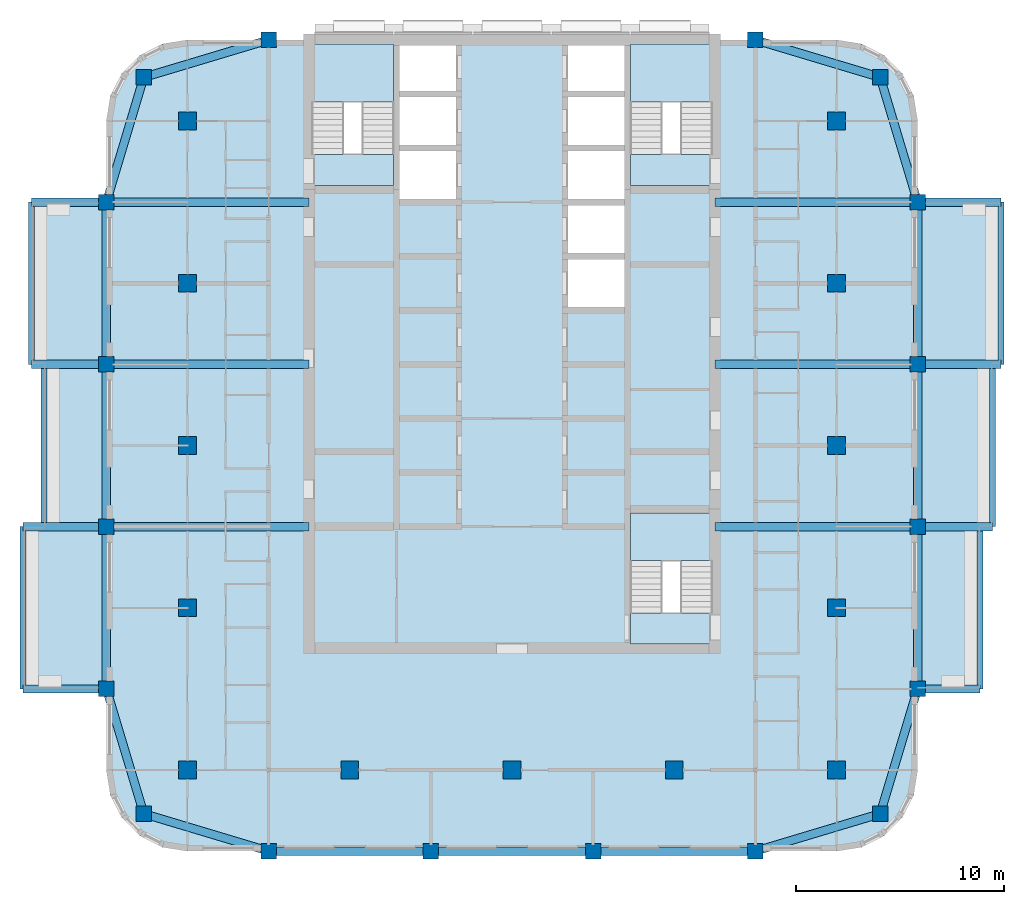
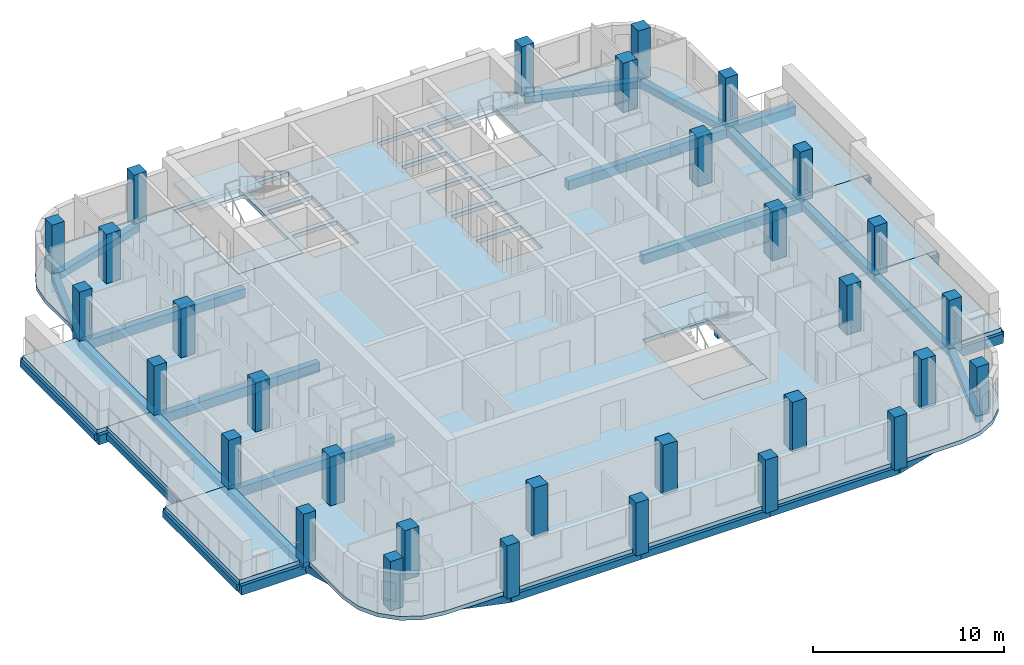
# One storey, part 1 of 13: 37 beams, 31 columns, 13 slabs, 3 elements without a shape of their own.
"""IFC4 building model written with IfcOpenShell, lengths in metres."""

from ifc_helpers import new_model, si_unit, direction, frame, origin, origin_2d, place, context, subcontext, project, spatial, polyline, rectangle, outline, extrude, material, layer, layer_set, material_profile, profile_set, type_object, element, aggregate, save


model = new_model("IFC4")

# Units and contexts
model_context = context("Model", 3, precision=1e-05, world=origin(), true_north=direction((0.0, 1.0)))
body_context = subcontext(model_context, "Body", "Model", "MODEL_VIEW")
ifc_project = project(units=[si_unit("LENGTHUNIT", "METRE"), si_unit("AREAUNIT", "SQUARE_METRE"), si_unit("VOLUMEUNIT", "CUBIC_METRE"), si_unit("PLANEANGLEUNIT", "RADIAN"), si_unit("MASSUNIT", "GRAM", prefix="KILO")], contexts=[model_context])

# Site, building, storey
site_placement = place(None, origin())
site = spatial("IfcSite", under=ifc_project, at=site_placement, CompositionType="ELEMENT")
building_placement = place(site_placement, origin())
building = spatial("IfcBuilding", under=site, at=building_placement, Name="Ludao Terraces", CompositionType="ELEMENT")
storey_placement = place(building_placement, frame((0.0, 0.0, 155.39990234375)))
storey = spatial("IfcBuildingStorey", under=building, at=storey_placement, Name="L42", CompositionType="ELEMENT", Elevation=155.39990234375)

# Columns
ifc_material_1 = material(Name="Concrete C45", Category="concrete")
ifc_material_profile_1 = material_profile(ifc_material_1, rectangle(XDim=0.75, YDim=0.75, at=origin_2d()), Name="750 X 750")
ifc_profile_set_1 = profile_set([ifc_material_profile_1], Name="Concrete C45")
column_type_1 = type_object("IfcColumnType", Name="RC column 750x750 C45", PredefinedType="COLUMN", material=ifc_profile_set_1)
for number, where, z_axis, x_axis, name in (
    (1, (67.300048828125, 47.300048828125, -0.25), (0.0, 0.0, 1.0), (1.0, 0.0, 0.0), "Column L42 C0057x0057"),
    (2, (102.699951171875, 47.300048828125, -0.25), (0.0, 0.0, 1.0), (1.0, 0.0, 0.0), "Column L42 C0411x0057"),
    (3, (67.300048828125, 82.699951171875, -0.25), (0.0, 0.0, 1.0), (1.0, 0.0, 0.0), "Column L42 C0057x0411"),
    (4, (102.699951171875, 82.699951171875, -0.25), (0.0, 0.0, 1.0), (1.0, 0.0, 0.0), "Column L42 C0411x0411"),
    (5, (65.5, 53.300048828125, -0.25), (0.0, 0.0, 1.0), (1.0, 0.0, 0.0), "Column L42 W0039x0117"),
    (6, (104.5, 53.300048828125, -0.25), (0.0, 0.0, 1.0), (1.0, 0.0, 0.0), "Column L42 W0429x0117"),
    (7, (73.300048828125, 45.5, -0.25), (0.0, 0.0, 1.0), (1.0, 0.0, 0.0), "Column L42 W0117x0039"),
    (8, (73.300048828125, 84.5, -0.25), (0.0, 0.0, 1.0), (1.0, 0.0, 0.0), "Column L42 W0117x0429"),
    (9, (65.5, 61.10009765625, -0.25), (0.0, 0.0, 1.0), (1.0, 0.0, 0.0), "Column L42 W0039x0195"),
    (10, (104.5, 61.10009765625, -0.25), (0.0, 0.0, 1.0), (1.0, 0.0, 0.0), "Column L42 W0429x0195"),
    (11, (81.10009765625, 45.5, -0.25), (0.0, 0.0, 1.0), (1.0, 0.0, 0.0), "Column L42 W0195x0039"),
    (12, (65.5, 68.89990234375, -0.25), (0.0, 0.0, 1.0), (1.0, 0.0, 0.0), "Column L42 W0039x0273"),
    (13, (104.5, 68.89990234375, -0.25), (0.0, 0.0, 1.0), (1.0, 0.0, 0.0), "Column L42 W0429x0273"),
    (14, (88.89990234375, 45.5, -0.25), (0.0, 0.0, 1.0), (1.0, 0.0, 0.0), "Column L42 W0273x0039"),
    (15, (65.5, 76.699951171875, -0.25), (0.0, 0.0, 1.0), (1.0, 0.0, 0.0), "Column L42 W0039x0351"),
    (16, (104.5, 76.699951171875, -0.25), (0.0, 0.0, 1.0), (1.0, 0.0, 0.0), "Column L42 W0429x0351"),
    (17, (96.699951171875, 45.5, -0.25), (0.0, 0.0, 1.0), (1.0, 0.0, 0.0), "Column L42 W0351x0039"),
    (18, (96.699951171875, 84.5, -0.25), (0.0, 0.0, 1.0), (1.0, 0.0, 0.0), "Column L42 W0351x0429"),
):
    element("IfcColumn", number, at=place(storey_placement, frame(where, z_axis=z_axis, x_axis=x_axis)), inside=storey, type_object=column_type_1, Name=name, PredefinedType="COLUMN", context=body_context, shape_type="SweptSolid", body=[
        extrude(rectangle(XDim=0.75, YDim=0.75, at=origin_2d()), origin(), (0.0, 0.0, 1.0), 3.400146484375),
    ])
ifc_material_profile_2 = material_profile(ifc_material_1, rectangle(XDim=0.85009765625, YDim=0.85009765625, at=origin_2d()), Name="850 X 850")
ifc_profile_set_2 = profile_set([ifc_material_profile_2], Name="Concrete C45")
column_type_2 = type_object("IfcColumnType", Name="RC column 850x850 C45", PredefinedType="COLUMN", material=ifc_profile_set_2)
for number, where, z_axis, x_axis, name in (
    (19, (69.39990234375, 49.39990234375, -0.25), (0.0, 0.0, 1.0), (1.0, 0.0, 0.0), "Column L42 S0078x0078"),
    (20, (69.39990234375, 57.199951171875, -0.25), (0.0, 0.0, 1.0), (1.0, 0.0, 0.0), "Column L42 S0078x0156"),
    (21, (69.39990234375, 65.0, -0.25), (0.0, 0.0, 1.0), (1.0, 0.0, 0.0), "Column L42 S0078x0234"),
    (22, (69.39990234375, 72.800048828125, -0.25), (0.0, 0.0, 1.0), (1.0, 0.0, 0.0), "Column L42 S0078x0312"),
    (23, (69.39990234375, 80.60009765625, -0.25), (0.0, 0.0, 1.0), (1.0, 0.0, 0.0), "Column L42 S0078x0390"),
    (24, (77.199951171875, 49.39990234375, -0.25), (0.0, 0.0, 1.0), (1.0, 0.0, 0.0), "Column L42 S0156x0078"),
    (25, (85.0, 49.39990234375, -0.25), (0.0, 0.0, 1.0), (1.0, 0.0, 0.0), "Column L42 S0234x0078"),
    (26, (92.800048828125, 49.39990234375, -0.25), (0.0, 0.0, 1.0), (1.0, 0.0, 0.0), "Column L42 S0312x0078"),
    (27, (100.60009765625, 49.39990234375, -0.25), (0.0, 0.0, 1.0), (1.0, 0.0, 0.0), "Column L42 S0390x0078"),
    (28, (100.60009765625, 57.199951171875, -0.25), (0.0, 0.0, 1.0), (1.0, 0.0, 0.0), "Column L42 S0390x0156"),
    (29, (100.60009765625, 65.0, -0.25), (0.0, 0.0, 1.0), (1.0, 0.0, 0.0), "Column L42 S0390x0234"),
    (30, (100.60009765625, 72.800048828125, -0.25), (0.0, 0.0, 1.0), (1.0, 0.0, 0.0), "Column L42 S0390x0312"),
    (31, (100.60009765625, 80.60009765625, -0.25), (0.0, 0.0, 1.0), (1.0, 0.0, 0.0), "Column L42 S0390x0390"),
):
    element("IfcColumn", number, at=place(storey_placement, frame(where, z_axis=z_axis, x_axis=x_axis)), inside=storey, type_object=column_type_2, Name=name, PredefinedType="COLUMN", context=body_context, shape_type="SweptSolid", body=[
        extrude(rectangle(XDim=0.85009765625, YDim=0.85009765625, at=origin_2d()), origin(), (0.0, 0.0, 1.0), 3.400146484375),
    ])

# Beams
ifc_material_2 = material(Name="Concrete C40", Category="concrete")
ifc_material_profile_3 = material_profile(ifc_material_2, rectangle(XDim=0.300048828125, YDim=0.39990234375, at=origin_2d()), Name="300 X 400")
ifc_profile_set_3 = profile_set([ifc_material_profile_3], Name="Concrete C40")
beam_type_1 = type_object("IfcBeamType", Name="RC beam 300x400 C40", PredefinedType="BEAM", material=ifc_profile_set_3)
beam_1_placement = place(storey_placement, frame((107.5, 53.300048828125, -0.449951171875), z_axis=(0.0, 1.0, 0.0), x_axis=(-1.0, 0.0, 0.0)))
element("IfcBeam", 32, at=beam_1_placement, inside=storey, type_object=beam_type_1, Name="Balcony edge beam L42 E1", PredefinedType="BEAM", context=body_context, shape_type="SweptSolid", body=[
    extrude(rectangle(XDim=0.300048828125, YDim=0.39990234375, at=origin_2d()), origin(), (0.0, 0.0, 1.0), 7.800048828125),
])
beam_2_placement = place(storey_placement, frame((108.10009765625, 61.10009765625, -0.449951171875), z_axis=(0.0, 1.0, 0.0), x_axis=(-1.0, 0.0, 0.0)))
element("IfcBeam", 33, at=beam_2_placement, inside=storey, type_object=beam_type_1, Name="Balcony edge beam L42 E2", PredefinedType="BEAM", context=body_context, shape_type="SweptSolid", body=[
    extrude(rectangle(XDim=0.300048828125, YDim=0.39990234375, at=origin_2d()), origin(), (0.0, 0.0, 1.0), 7.7998046875),
])
for number, where, z_axis, x_axis, name in (
    (34, (108.5, 68.89990234375, -0.449951171875), (0.0, 1.0, 0.0), (-1.0, 0.0, 0.0), "Balcony edge beam L42 E3"),
    (35, (61.5, 53.300048828125, -0.449951171875), (0.0, 1.0, 0.0), (-1.0, 0.0, 0.0), "Balcony edge beam L42 W1"),
):
    element("IfcBeam", number, at=place(storey_placement, frame(where, z_axis=z_axis, x_axis=x_axis)), inside=storey, type_object=beam_type_1, Name=name, PredefinedType="BEAM", context=body_context, shape_type="SweptSolid", body=[
        extrude(rectangle(XDim=0.300048828125, YDim=0.39990234375, at=origin_2d()), origin(), (0.0, 0.0, 1.0), 7.800048828125),
    ])
beam_3_placement = place(storey_placement, frame((62.5, 61.10009765625, -0.449951171875), z_axis=(0.0, 1.0, 0.0), x_axis=(-1.0, 0.0, 0.0)))
element("IfcBeam", 36, at=beam_3_placement, inside=storey, type_object=beam_type_1, Name="Balcony edge beam L42 W2", PredefinedType="BEAM", context=body_context, shape_type="SweptSolid", body=[
    extrude(rectangle(XDim=0.300048828125, YDim=0.39990234375, at=origin_2d()), origin(), (0.0, 0.0, 1.0), 7.7998046875),
])
beam_4_placement = place(storey_placement, frame((61.89990234375, 68.89990234375, -0.449951171875), z_axis=(0.0, 1.0, 0.0), x_axis=(-1.0, 0.0, 0.0)))
element("IfcBeam", 37, at=beam_4_placement, inside=storey, type_object=beam_type_1, Name="Balcony edge beam L42 W3", PredefinedType="BEAM", context=body_context, shape_type="SweptSolid", body=[
    extrude(rectangle(XDim=0.300048828125, YDim=0.39990234375, at=origin_2d()), origin(), (0.0, 0.0, 1.0), 7.800048828125),
])
ifc_material_profile_4 = material_profile(ifc_material_2, rectangle(XDim=0.39990234375, YDim=0.449951171875, at=origin_2d()), Name="400 X 450")
ifc_profile_set_4 = profile_set([ifc_material_profile_4], Name="Concrete C40")
beam_type_2 = type_object("IfcBeamType", Name="RC beam 400x450 C40", PredefinedType="BEAM", material=ifc_profile_set_4)
beam_5_placement = place(storey_placement, frame((67.300048828125, 47.300048828125, -0.474853515625), z_axis=(0.957824139839, -0.287355036744, 0.0), x_axis=(0.287355036744, 0.957824139839, 0.0)))
element("IfcBeam", 38, at=beam_5_placement, inside=storey, type_object=beam_type_2, Name="Spandrel beam L42 S1", PredefinedType="BEAM", context=body_context, shape_type="SweptSolid", body=[
    extrude(rectangle(XDim=0.39990234375, YDim=0.449951171875, at=origin_2d()), origin(), (0.0, 0.0, 1.0), 6.26416015625),
])
beam_6_placement = place(storey_placement, frame((73.300048828125, 45.5, -0.474853515625), z_axis=(1.0, 0.0, 0.0), x_axis=(0.0, 1.0, 0.0)))
element("IfcBeam", 39, at=beam_6_placement, inside=storey, type_object=beam_type_2, Name="Spandrel beam L42 S2", PredefinedType="BEAM", context=body_context, shape_type="SweptSolid", body=[
    extrude(rectangle(XDim=0.39990234375, YDim=0.449951171875, at=origin_2d()), origin(), (0.0, 0.0, 1.0), 7.800048828125),
])
beam_7_placement = place(storey_placement, frame((81.10009765625, 45.5, -0.474853515625), z_axis=(1.0, 0.0, 0.0), x_axis=(0.0, 1.0, 0.0)))
element("IfcBeam", 40, at=beam_7_placement, inside=storey, type_object=beam_type_2, Name="Spandrel beam L42 S3", PredefinedType="BEAM", context=body_context, shape_type="SweptSolid", body=[
    extrude(rectangle(XDim=0.39990234375, YDim=0.449951171875, at=origin_2d()), origin(), (0.0, 0.0, 1.0), 7.7998046875),
])
beam_8_placement = place(storey_placement, frame((88.89990234375, 45.5, -0.474853515625), z_axis=(1.0, 0.0, 0.0), x_axis=(0.0, 1.0, 0.0)))
element("IfcBeam", 41, at=beam_8_placement, inside=storey, type_object=beam_type_2, Name="Spandrel beam L42 S4", PredefinedType="BEAM", context=body_context, shape_type="SweptSolid", body=[
    extrude(rectangle(XDim=0.39990234375, YDim=0.449951171875, at=origin_2d()), origin(), (0.0, 0.0, 1.0), 7.800048828125),
])
for number, where, z_axis, x_axis, name in (
    (42, (96.699951171875, 45.5, -0.474853515625), (0.957824139839, 0.287355036744, 0.0), (-0.287355036744, 0.957824139839, 0.0), "Spandrel beam L42 S5"),
    (43, (67.300048828125, 82.699951171875, -0.474853515625), (0.957824139839, 0.287355036744, 0.0), (-0.287355036744, 0.957824139839, 0.0), "Spandrel beam L42 N6"),
    (44, (96.699951171875, 84.5, -0.474853515625), (0.957824139839, -0.287355036744, 0.0), (0.287355036744, 0.957824139839, 0.0), "Spandrel beam L42 N7"),
    (45, (67.300048828125, 47.300048828125, -0.474853515625), (-0.287355036744, 0.957824139839, 0.0), (-0.957824139839, -0.287355036744, 0.0), "Spandrel beam L42 W8"),
):
    element("IfcBeam", number, at=place(storey_placement, frame(where, z_axis=z_axis, x_axis=x_axis)), inside=storey, type_object=beam_type_2, Name=name, PredefinedType="BEAM", context=body_context, shape_type="SweptSolid", body=[
        extrude(rectangle(XDim=0.39990234375, YDim=0.449951171875, at=origin_2d()), origin(), (0.0, 0.0, 1.0), 6.26416015625),
    ])
beam_9_placement = place(storey_placement, frame((65.5, 53.300048828125, -0.474853515625), z_axis=(0.0, 1.0, 0.0), x_axis=(-1.0, 0.0, 0.0)))
element("IfcBeam", 46, at=beam_9_placement, inside=storey, type_object=beam_type_2, Name="Spandrel beam L42 W9", PredefinedType="BEAM", context=body_context, shape_type="SweptSolid", body=[
    extrude(rectangle(XDim=0.39990234375, YDim=0.449951171875, at=origin_2d()), origin(), (0.0, 0.0, 1.0), 7.800048828125),
])
beam_10_placement = place(storey_placement, frame((65.5, 61.10009765625, -0.474853515625), z_axis=(0.0, 1.0, 0.0), x_axis=(-1.0, 0.0, 0.0)))
element("IfcBeam", 47, at=beam_10_placement, inside=storey, type_object=beam_type_2, Name="Spandrel beam L42 W10", PredefinedType="BEAM", context=body_context, shape_type="SweptSolid", body=[
    extrude(rectangle(XDim=0.39990234375, YDim=0.449951171875, at=origin_2d()), origin(), (0.0, 0.0, 1.0), 7.7998046875),
])
beam_11_placement = place(storey_placement, frame((65.5, 68.89990234375, -0.474853515625), z_axis=(0.0, 1.0, 0.0), x_axis=(-1.0, 0.0, 0.0)))
element("IfcBeam", 48, at=beam_11_placement, inside=storey, type_object=beam_type_2, Name="Spandrel beam L42 W11", PredefinedType="BEAM", context=body_context, shape_type="SweptSolid", body=[
    extrude(rectangle(XDim=0.39990234375, YDim=0.449951171875, at=origin_2d()), origin(), (0.0, 0.0, 1.0), 7.800048828125),
])
for number, where, z_axis, x_axis, name in (
    (49, (65.5, 76.699951171875, -0.474853515625), (0.287355036744, 0.957824139839, 0.0), (-0.957824139839, 0.287355036744, 0.0), "Spandrel beam L42 W12"),
    (50, (102.699951171875, 47.300048828125, -0.474853515625), (0.287355036744, 0.957824139839, 0.0), (-0.957824139839, 0.287355036744, 0.0), "Spandrel beam L42 E13"),
):
    element("IfcBeam", number, at=place(storey_placement, frame(where, z_axis=z_axis, x_axis=x_axis)), inside=storey, type_object=beam_type_2, Name=name, PredefinedType="BEAM", context=body_context, shape_type="SweptSolid", body=[
        extrude(rectangle(XDim=0.39990234375, YDim=0.449951171875, at=origin_2d()), origin(), (0.0, 0.0, 1.0), 6.26416015625),
    ])
beam_12_placement = place(storey_placement, frame((104.5, 53.300048828125, -0.474853515625), z_axis=(0.0, 1.0, 0.0), x_axis=(-1.0, 0.0, 0.0)))
element("IfcBeam", 51, at=beam_12_placement, inside=storey, type_object=beam_type_2, Name="Spandrel beam L42 E14", PredefinedType="BEAM", context=body_context, shape_type="SweptSolid", body=[
    extrude(rectangle(XDim=0.39990234375, YDim=0.449951171875, at=origin_2d()), origin(), (0.0, 0.0, 1.0), 7.800048828125),
])
beam_13_placement = place(storey_placement, frame((104.5, 61.10009765625, -0.474853515625), z_axis=(0.0, 1.0, 0.0), x_axis=(-1.0, 0.0, 0.0)))
element("IfcBeam", 52, at=beam_13_placement, inside=storey, type_object=beam_type_2, Name="Spandrel beam L42 E15", PredefinedType="BEAM", context=body_context, shape_type="SweptSolid", body=[
    extrude(rectangle(XDim=0.39990234375, YDim=0.449951171875, at=origin_2d()), origin(), (0.0, 0.0, 1.0), 7.7998046875),
])
beam_14_placement = place(storey_placement, frame((104.5, 68.89990234375, -0.474853515625), z_axis=(0.0, 1.0, 0.0), x_axis=(-1.0, 0.0, 0.0)))
element("IfcBeam", 53, at=beam_14_placement, inside=storey, type_object=beam_type_2, Name="Spandrel beam L42 E16", PredefinedType="BEAM", context=body_context, shape_type="SweptSolid", body=[
    extrude(rectangle(XDim=0.39990234375, YDim=0.449951171875, at=origin_2d()), origin(), (0.0, 0.0, 1.0), 7.800048828125),
])
beam_15_placement = place(storey_placement, frame((104.5, 76.699951171875, -0.474853515625), z_axis=(-0.287355036744, 0.957824139839, 0.0), x_axis=(-0.957824139839, -0.287355036744, 0.0)))
element("IfcBeam", 54, at=beam_15_placement, inside=storey, type_object=beam_type_2, Name="Spandrel beam L42 E17", PredefinedType="BEAM", context=body_context, shape_type="SweptSolid", body=[
    extrude(rectangle(XDim=0.39990234375, YDim=0.449951171875, at=origin_2d()), origin(), (0.0, 0.0, 1.0), 6.26416015625),
])
ifc_material_profile_5 = material_profile(ifc_material_2, rectangle(XDim=0.39990234375, YDim=0.60009765625, at=origin_2d()), Name="400 X 600")
ifc_profile_set_5 = profile_set([ifc_material_profile_5], Name="Concrete C40")
beam_type_3 = type_object("IfcBeamType", Name="RC beam 400x600 C40", PredefinedType="BEAM", material=ifc_profile_set_5)
beam_16_placement = place(storey_placement, frame((104.5, 53.300048828125, -0.5498046875), z_axis=(1.0, 0.0, 0.0), x_axis=(0.0, 1.0, 0.0)))
element("IfcBeam", 55, at=beam_16_placement, inside=storey, type_object=beam_type_3, Name="Balcony beam L42 E533", PredefinedType="BEAM", context=body_context, shape_type="SweptSolid", body=[
    extrude(rectangle(XDim=0.39990234375, YDim=0.60009765625, at=origin_2d()), origin(), (0.0, 0.0, 1.0), 3.0),
])
beam_17_placement = place(storey_placement, frame((94.75, 61.10009765625, -0.5498046875), z_axis=(1.0, 0.0, 0.0), x_axis=(0.0, 1.0, 0.0)))
element("IfcBeam", 56, at=beam_17_placement, inside=storey, type_object=beam_type_3, Name="Balcony beam L42 E611", PredefinedType="BEAM", context=body_context, shape_type="SweptSolid", body=[
    extrude(rectangle(XDim=0.39990234375, YDim=0.60009765625, at=origin_2d()), origin(), (0.0, 0.0, 1.0), 9.75),
])
beam_18_placement = place(storey_placement, frame((104.5, 61.10009765625, -0.5498046875), z_axis=(1.0, 0.0, 0.0), x_axis=(0.0, 1.0, 0.0)))
element("IfcBeam", 57, at=beam_18_placement, inside=storey, type_object=beam_type_3, Name="Balcony beam L42 E611", PredefinedType="BEAM", context=body_context, shape_type="SweptSolid", body=[
    extrude(rectangle(XDim=0.39990234375, YDim=0.60009765625, at=origin_2d()), origin(), (0.0, 0.0, 1.0), 3.60009765625),
])
beam_19_placement = place(storey_placement, frame((94.75, 68.89990234375, -0.5498046875), z_axis=(1.0, 0.0, 0.0), x_axis=(0.0, 1.0, 0.0)))
element("IfcBeam", 58, at=beam_19_placement, inside=storey, type_object=beam_type_3, Name="Balcony beam L42 E689", PredefinedType="BEAM", context=body_context, shape_type="SweptSolid", body=[
    extrude(rectangle(XDim=0.39990234375, YDim=0.60009765625, at=origin_2d()), origin(), (0.0, 0.0, 1.0), 9.75),
])
beam_20_placement = place(storey_placement, frame((104.5, 68.89990234375, -0.5498046875), z_axis=(1.0, 0.0, 0.0), x_axis=(0.0, 1.0, 0.0)))
element("IfcBeam", 59, at=beam_20_placement, inside=storey, type_object=beam_type_3, Name="Balcony beam L42 E689", PredefinedType="BEAM", context=body_context, shape_type="SweptSolid", body=[
    extrude(rectangle(XDim=0.39990234375, YDim=0.60009765625, at=origin_2d()), origin(), (0.0, 0.0, 1.0), 4.0),
])
beam_21_placement = place(storey_placement, frame((94.75, 76.699951171875, -0.5498046875), z_axis=(1.0, 0.0, 0.0), x_axis=(0.0, 1.0, 0.0)))
element("IfcBeam", 60, at=beam_21_placement, inside=storey, type_object=beam_type_3, Name="Balcony beam L42 E767", PredefinedType="BEAM", context=body_context, shape_type="SweptSolid", body=[
    extrude(rectangle(XDim=0.39990234375, YDim=0.60009765625, at=origin_2d()), origin(), (0.0, 0.0, 1.0), 9.75),
])
for number, where, z_axis, x_axis, name in (
    (61, (104.5, 76.699951171875, -0.5498046875), (1.0, 0.0, 0.0), (0.0, 1.0, 0.0), "Balcony beam L42 E767"),
    (62, (65.5, 53.300048828125, -0.5498046875), (-1.0, 0.0, 0.0), (0.0, -1.0, 0.0), "Balcony beam L42 W533"),
):
    element("IfcBeam", number, at=place(storey_placement, frame(where, z_axis=z_axis, x_axis=x_axis)), inside=storey, type_object=beam_type_3, Name=name, PredefinedType="BEAM", context=body_context, shape_type="SweptSolid", body=[
        extrude(rectangle(XDim=0.39990234375, YDim=0.60009765625, at=origin_2d()), origin(), (0.0, 0.0, 1.0), 4.0),
    ])
beam_22_placement = place(storey_placement, frame((75.25, 61.10009765625, -0.5498046875), z_axis=(-1.0, 0.0, 0.0), x_axis=(0.0, -1.0, 0.0)))
element("IfcBeam", 63, at=beam_22_placement, inside=storey, type_object=beam_type_3, Name="Balcony beam L42 W611", PredefinedType="BEAM", context=body_context, shape_type="SweptSolid", body=[
    extrude(rectangle(XDim=0.39990234375, YDim=0.60009765625, at=origin_2d()), origin(), (0.0, 0.0, 1.0), 9.75),
])
beam_23_placement = place(storey_placement, frame((65.5, 61.10009765625, -0.5498046875), z_axis=(-1.0, 0.0, 0.0), x_axis=(0.0, -1.0, 0.0)))
element("IfcBeam", 64, at=beam_23_placement, inside=storey, type_object=beam_type_3, Name="Balcony beam L42 W611", PredefinedType="BEAM", context=body_context, shape_type="SweptSolid", body=[
    extrude(rectangle(XDim=0.39990234375, YDim=0.60009765625, at=origin_2d()), origin(), (0.0, 0.0, 1.0), 4.0),
])
beam_24_placement = place(storey_placement, frame((75.25, 68.89990234375, -0.5498046875), z_axis=(-1.0, 0.0, 0.0), x_axis=(0.0, -1.0, 0.0)))
element("IfcBeam", 65, at=beam_24_placement, inside=storey, type_object=beam_type_3, Name="Balcony beam L42 W689", PredefinedType="BEAM", context=body_context, shape_type="SweptSolid", body=[
    extrude(rectangle(XDim=0.39990234375, YDim=0.60009765625, at=origin_2d()), origin(), (0.0, 0.0, 1.0), 9.75),
])
beam_25_placement = place(storey_placement, frame((65.5, 68.89990234375, -0.5498046875), z_axis=(-1.0, 0.0, 0.0), x_axis=(0.0, -1.0, 0.0)))
element("IfcBeam", 66, at=beam_25_placement, inside=storey, type_object=beam_type_3, Name="Balcony beam L42 W689", PredefinedType="BEAM", context=body_context, shape_type="SweptSolid", body=[
    extrude(rectangle(XDim=0.39990234375, YDim=0.60009765625, at=origin_2d()), origin(), (0.0, 0.0, 1.0), 3.60009765625),
])
beam_26_placement = place(storey_placement, frame((75.25, 76.699951171875, -0.5498046875), z_axis=(-1.0, 0.0, 0.0), x_axis=(0.0, -1.0, 0.0)))
element("IfcBeam", 67, at=beam_26_placement, inside=storey, type_object=beam_type_3, Name="Balcony beam L42 W767", PredefinedType="BEAM", context=body_context, shape_type="SweptSolid", body=[
    extrude(rectangle(XDim=0.39990234375, YDim=0.60009765625, at=origin_2d()), origin(), (0.0, 0.0, 1.0), 9.75),
])
beam_27_placement = place(storey_placement, frame((65.5, 76.699951171875, -0.5498046875), z_axis=(-1.0, 0.0, 0.0), x_axis=(0.0, -1.0, 0.0)))
element("IfcBeam", 68, at=beam_27_placement, inside=storey, type_object=beam_type_3, Name="Balcony beam L42 W767", PredefinedType="BEAM", context=body_context, shape_type="SweptSolid", body=[
    extrude(rectangle(XDim=0.39990234375, YDim=0.60009765625, at=origin_2d()), origin(), (0.0, 0.0, 1.0), 3.60009765625),
])

# Slabs
ifc_layer_1 = layer(ifc_material_2, 0.25)
ifc_layer_set_1 = layer_set([ifc_layer_1], Name="Balcony slab 250 C40")
slab_type_1 = type_object("IfcSlabType", Name="Balcony slab 250 C40", PredefinedType="USERDEFINED", material=ifc_layer_set_1)
slab_1_placement = place(storey_placement, frame((0.0, 0.0, -0.25)))
element("IfcSlab", 69, at=slab_1_placement, inside=storey, type_object=slab_type_1, Name="Balcony L42 E1", ObjectType="BALCONY", PredefinedType="USERDEFINED", context=body_context, shape_type="SweptSolid", body=[
    extrude(outline(polyline([(104.5, 53.300048828125), (107.5, 53.300048828125), (107.5, 61.10009765625), (104.5, 61.10009765625), (104.5, 53.300048828125)])), origin(), (0.0, 0.0, 1.0), 0.25),
])
slab_2_placement = place(storey_placement, frame((0.0, 0.0, -0.25)))
element("IfcSlab", 70, at=slab_2_placement, inside=storey, type_object=slab_type_1, Name="Balcony L42 E2", ObjectType="BALCONY", PredefinedType="USERDEFINED", context=body_context, shape_type="SweptSolid", body=[
    extrude(outline(polyline([(104.5, 61.10009765625), (108.10009765625, 61.10009765625), (108.10009765625, 68.89990234375), (104.5, 68.89990234375), (104.5, 61.10009765625)])), origin(), (0.0, 0.0, 1.0), 0.25),
])
slab_3_placement = place(storey_placement, frame((0.0, 0.0, -0.25)))
element("IfcSlab", 71, at=slab_3_placement, inside=storey, type_object=slab_type_1, Name="Balcony L42 E3", ObjectType="BALCONY", PredefinedType="USERDEFINED", context=body_context, shape_type="SweptSolid", body=[
    extrude(outline(polyline([(104.5, 68.89990234375), (108.5, 68.89990234375), (108.5, 76.699951171875), (104.5, 76.699951171875), (104.5, 68.89990234375)])), origin(), (0.0, 0.0, 1.0), 0.25),
])
slab_4_placement = place(storey_placement, frame((0.0, 0.0, -0.25)))
element("IfcSlab", 72, at=slab_4_placement, inside=storey, type_object=slab_type_1, Name="Balcony L42 W1", ObjectType="BALCONY", PredefinedType="USERDEFINED", context=body_context, shape_type="SweptSolid", body=[
    extrude(outline(polyline([(61.5, 53.300048828125), (65.5, 53.300048828125), (65.5, 61.10009765625), (61.5, 61.10009765625), (61.5, 53.300048828125)])), origin(), (0.0, 0.0, 1.0), 0.25),
])
slab_5_placement = place(storey_placement, frame((0.0, 0.0, -0.25)))
element("IfcSlab", 73, at=slab_5_placement, inside=storey, type_object=slab_type_1, Name="Balcony L42 W2", ObjectType="BALCONY", PredefinedType="USERDEFINED", context=body_context, shape_type="SweptSolid", body=[
    extrude(outline(polyline([(62.5, 61.10009765625), (65.5, 61.10009765625), (65.5, 68.89990234375), (62.5, 68.89990234375), (62.5, 61.10009765625)])), origin(), (0.0, 0.0, 1.0), 0.25),
])
slab_6_placement = place(storey_placement, frame((0.0, 0.0, -0.25)))
element("IfcSlab", 74, at=slab_6_placement, inside=storey, type_object=slab_type_1, Name="Balcony L42 W3", ObjectType="BALCONY", PredefinedType="USERDEFINED", context=body_context, shape_type="SweptSolid", body=[
    extrude(outline(polyline([(61.89990234375, 68.89990234375), (65.5, 68.89990234375), (65.5, 76.699951171875), (61.89990234375, 76.699951171875), (61.89990234375, 68.89990234375)])), origin(), (0.0, 0.0, 1.0), 0.25),
])
ifc_layer_2 = layer(ifc_material_2, 0.25)
ifc_layer_set_2 = layer_set([ifc_layer_2], Name="Floor slab 250 C40")
slab_type_2 = type_object("IfcSlabType", Name="Floor slab 250 C40", PredefinedType="FLOOR", material=ifc_layer_set_2)
slab_7_placement = place(storey_placement, frame((0.0, 0.0, -0.25)))
element("IfcSlab", 75, at=slab_7_placement, inside=storey, type_object=slab_type_2, Name="Slab L42", PredefinedType="FLOOR", context=body_context, shape_type="SweptSolid", body=[
    extrude(outline(polyline([(100.60009765625, 45.5), (101.80517578125, 45.69091796875), (102.892333984375, 46.244873046875), (103.755126953125, 47.107666015625), (104.30908203125, 48.19482421875), (104.5, 49.39990234375), (104.5, 80.60009765625), (104.30908203125, 81.80517578125), (103.755126953125, 82.892333984375), (102.892333984375, 83.755126953125), (101.80517578125, 84.30908203125), (100.60009765625, 84.5), (69.39990234375, 84.5), (68.19482421875, 84.30908203125), (67.107666015625, 83.755126953125), (66.244873046875, 82.892333984375), (65.69091796875, 81.80517578125), (65.5, 80.60009765625), (65.5, 49.39990234375), (65.69091796875, 48.19482421875), (66.244873046875, 47.107666015625), (67.107666015625, 46.244873046875), (68.19482421875, 45.69091796875), (69.39990234375, 45.5), (100.60009765625, 45.5)]), holes=[polyline([(79.60009765625, 76.85009765625), (82.300048828125, 76.85009765625), (82.300048828125, 79.14990234375), (79.60009765625, 79.14990234375), (79.60009765625, 76.85009765625)]), polyline([(79.60009765625, 79.449951171875), (82.300048828125, 79.449951171875), (82.300048828125, 81.75), (79.60009765625, 81.75), (79.60009765625, 79.449951171875)]), polyline([(79.60009765625, 82.050048828125), (82.300048828125, 82.050048828125), (82.300048828125, 84.239990234375), (79.60009765625, 84.239990234375), (79.60009765625, 82.050048828125)]), polyline([(87.699951171875, 71.64990234375), (90.39990234375, 71.64990234375), (90.39990234375, 73.949951171875), (87.699951171875, 73.949951171875), (87.699951171875, 71.64990234375)]), polyline([(87.699951171875, 74.25), (90.39990234375, 74.25), (90.39990234375, 76.550048828125), (87.699951171875, 76.550048828125), (87.699951171875, 74.25)]), polyline([(87.699951171875, 76.85009765625), (90.39990234375, 76.85009765625), (90.39990234375, 79.14990234375), (87.699951171875, 79.14990234375), (87.699951171875, 76.85009765625)]), polyline([(87.699951171875, 79.449951171875), (90.39990234375, 79.449951171875), (90.39990234375, 81.75), (87.699951171875, 81.75), (87.699951171875, 79.449951171875)]), polyline([(87.699951171875, 82.050048828125), (90.39990234375, 82.050048828125), (90.39990234375, 84.239990234375), (87.699951171875, 84.239990234375), (87.699951171875, 82.050048828125)]), polyline([(75.39990234375, 77.5), (79.300048828125, 77.5), (79.300048828125, 84.239990234375), (75.39990234375, 84.239990234375), (75.39990234375, 77.5)]), polyline([(90.699951171875, 77.5), (94.60009765625, 77.5), (94.60009765625, 84.239990234375), (90.699951171875, 84.239990234375), (90.699951171875, 77.5)]), polyline([(90.699951171875, 55.449951171875), (94.60009765625, 55.449951171875), (94.60009765625, 61.75), (90.699951171875, 61.75), (90.699951171875, 55.449951171875)])]), origin(), (0.0, 0.0, 1.0), 0.25),
])

# Stair, slabs
stair_type = type_object("IfcStairType", Name="INT Stair", PredefinedType="HALF_TURN_STAIR", material=ifc_material_2)
stair_1_placement = place(storey_placement, origin())
stair_1 = element("IfcStair", 76, at=stair_1_placement, inside=storey, type_object=stair_type, Name="EXIT STAIR 1", PredefinedType="HALF_TURN_STAIR")
ifc_layer_3 = layer(ifc_material_2, 0.199951171875)
ifc_layer_set_3 = layer_set([ifc_layer_3], Name="INT Stair landing 200")
slab_type_3 = type_object("IfcSlabType", Name="INT Stair landing 200", PredefinedType="LANDING", material=ifc_layer_set_3)
slab_8_placement = place(storey_placement, frame((0.0, 0.0, 1.5)))
slab_8 = element("IfcSlab", 77, at=slab_8_placement, type_object=slab_type_3, Name="ST1 landing 1", PredefinedType="LANDING", context=body_context, shape_type="SweptSolid", body=[
    extrude(outline(polyline([(75.39990234375, 81.52001953125), (79.300048828125, 81.52001953125), (79.300048828125, 84.300048828125), (75.39990234375, 84.300048828125), (75.39990234375, 81.52001953125)])), origin(), (0.0, 0.0, 1.0), 0.2001953125),
])
slab_9_placement = place(storey_placement, frame((0.0, 0.0, -0.199951171875)))
slab_9 = element("IfcSlab", 78, at=slab_9_placement, type_object=slab_type_3, Name="ST1 landing 2", PredefinedType="LANDING", context=body_context, shape_type="SweptSolid", body=[
    extrude(outline(polyline([(75.39990234375, 77.5), (79.300048828125, 77.5), (79.300048828125, 79.0), (75.39990234375, 79.0), (75.39990234375, 77.5)])), origin(), (0.0, 0.0, 1.0), 0.199951171875),
])
aggregate(stair_1, [slab_8, slab_9])

stair_2_placement = place(storey_placement, origin())
stair_2 = element("IfcStair", 79, at=stair_2_placement, inside=storey, type_object=stair_type, Name="EXIT STAIR 2", PredefinedType="HALF_TURN_STAIR")
slab_10_placement = place(storey_placement, frame((0.0, 0.0, 1.5)))
slab_10 = element("IfcSlab", 80, at=slab_10_placement, type_object=slab_type_3, Name="ST2 landing 1", PredefinedType="LANDING", context=body_context, shape_type="SweptSolid", body=[
    extrude(outline(polyline([(90.699951171875, 81.52001953125), (94.60009765625, 81.52001953125), (94.60009765625, 84.300048828125), (90.699951171875, 84.300048828125), (90.699951171875, 81.52001953125)])), origin(), (0.0, 0.0, 1.0), 0.2001953125),
])
slab_11_placement = place(storey_placement, frame((0.0, 0.0, -0.199951171875)))
slab_11 = element("IfcSlab", 81, at=slab_11_placement, type_object=slab_type_3, Name="ST2 landing 2", PredefinedType="LANDING", context=body_context, shape_type="SweptSolid", body=[
    extrude(outline(polyline([(90.699951171875, 77.5), (94.60009765625, 77.5), (94.60009765625, 79.0), (90.699951171875, 79.0), (90.699951171875, 77.5)])), origin(), (0.0, 0.0, 1.0), 0.199951171875),
])
aggregate(stair_2, [slab_10, slab_11])

stair_3_placement = place(storey_placement, origin())
stair_3 = element("IfcStair", 82, at=stair_3_placement, inside=storey, type_object=stair_type, Name="EXIT STAIR 3", PredefinedType="HALF_TURN_STAIR")
slab_12_placement = place(storey_placement, frame((0.0, 0.0, 1.5)))
slab_12 = element("IfcSlab", 83, at=slab_12_placement, type_object=slab_type_3, Name="ST3 landing 1", PredefinedType="LANDING", context=body_context, shape_type="SweptSolid", body=[
    extrude(outline(polyline([(90.699951171875, 59.469970703125), (94.60009765625, 59.469970703125), (94.60009765625, 61.75), (90.699951171875, 61.75), (90.699951171875, 59.469970703125)])), origin(), (0.0, 0.0, 1.0), 0.2001953125),
])
slab_13_placement = place(storey_placement, frame((0.0, 0.0, -0.199951171875)))
slab_13 = element("IfcSlab", 84, at=slab_13_placement, type_object=slab_type_3, Name="ST3 landing 2", PredefinedType="LANDING", context=body_context, shape_type="SweptSolid", body=[
    extrude(outline(polyline([(90.699951171875, 55.449951171875), (94.60009765625, 55.449951171875), (94.60009765625, 56.949951171875), (90.699951171875, 56.949951171875), (90.699951171875, 55.449951171875)])), origin(), (0.0, 0.0, 1.0), 0.199951171875),
])
aggregate(stair_3, [slab_12, slab_13])

save(model, "model.ifc")
